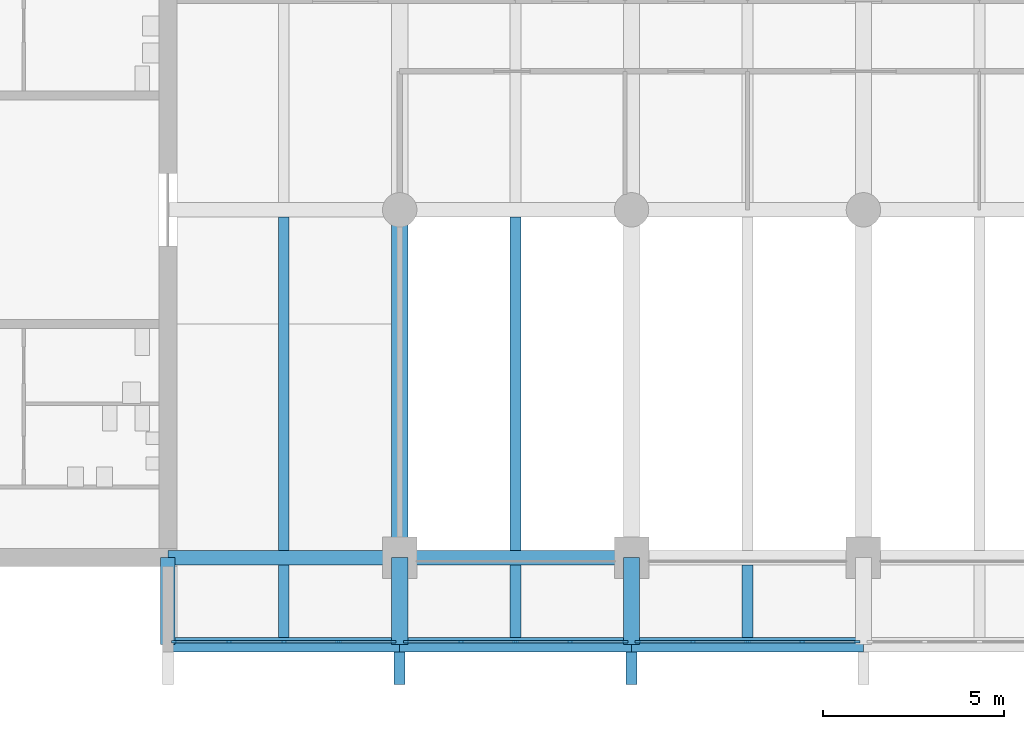
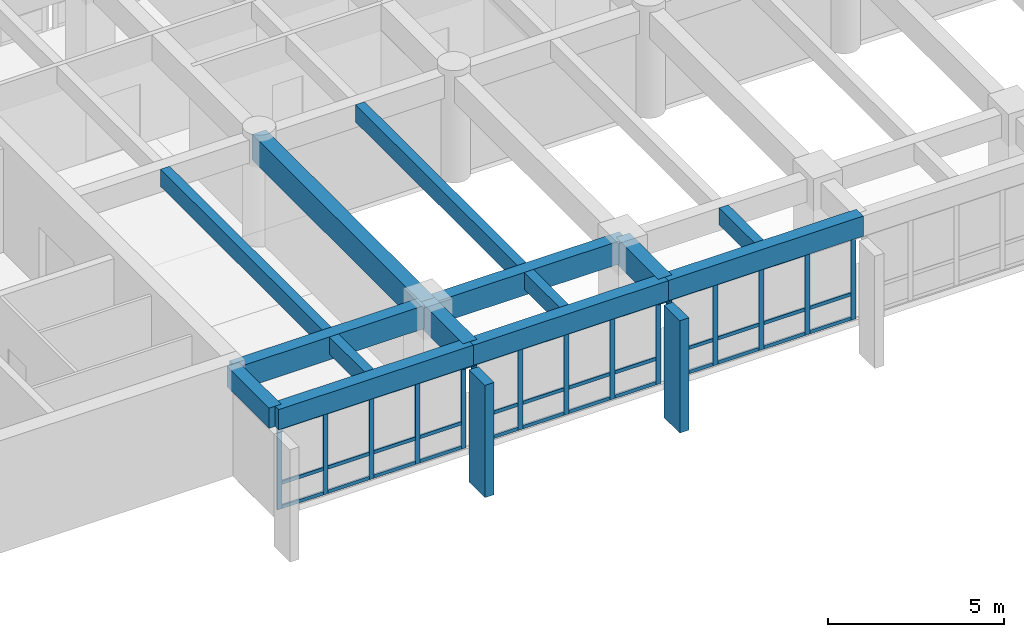
# One storey, part 2 of 15: 52 members, 14 beams, 3 elements without a shape of their own.
"""IFC4 building model written with IfcOpenShell, lengths in metres."""

from ifc_helpers import new_model, si_unit, direction, frame, origin, origin_2d, place, context, subcontext, project, spatial, rectangle, extrude, material, layer, layer_set, material_profile, profile_set, type_object, element, aggregate, save


model = new_model("IFC4")

# Units and contexts
model_context = context("Model", 3, precision=1e-05, world=origin(), true_north=direction((0.0, 1.0)))
body_context = subcontext(model_context, "Body", "Model", "MODEL_VIEW")
ifc_project = project(units=[si_unit("LENGTHUNIT", "METRE"), si_unit("AREAUNIT", "SQUARE_METRE"), si_unit("VOLUMEUNIT", "CUBIC_METRE"), si_unit("PLANEANGLEUNIT", "RADIAN"), si_unit("MASSUNIT", "GRAM", prefix="KILO")], contexts=[model_context])

# Site, building, storey
site_placement = place(None, origin())
site = spatial("IfcSite", under=ifc_project, at=site_placement, CompositionType="ELEMENT")
building_placement = place(site_placement, origin())
building = spatial("IfcBuilding", under=site, at=building_placement, Name="Fogon Plaza Fire Station and Headquarters Tower", CompositionType="ELEMENT")
storey_placement = place(building_placement, frame((0.0, 0.0, 36.60009765625)))
storey = spatial("IfcBuildingStorey", under=building, at=storey_placement, Name="L09", CompositionType="ELEMENT", Elevation=36.60009765625)

# Beams
ifc_material_1 = material(Name="Concrete C40", Category="concrete")
ifc_material_profile_1 = material_profile(ifc_material_1, rectangle(XDim=0.39990234375, YDim=0.699951171875, at=origin_2d()), Name="RC 400x700")
ifc_profile_set_1 = profile_set([ifc_material_profile_1], Name="Concrete C40")
beam_type_1 = type_object("IfcBeamType", Name="BEAM RC 400x700", PredefinedType="BEAM", material=ifc_profile_set_1)
for number, where, z_axis, x_axis, name in (
    (1, (25.60009765625, 31.199951171875, 3.329833984375), (1.0, 0.0, 0.0), (0.0, 1.0, 0.0), "beam-L09-039"),
    (2, (32.0, 31.199951171875, 3.329833984375), (1.0, 0.0, 0.0), (0.0, 1.0, 0.0), "beam-L09-040"),
):
    element("IfcBeam", number, at=place(storey_placement, frame(where, z_axis=z_axis, x_axis=x_axis)), inside=storey, type_object=beam_type_1, Name=name, PredefinedType="BEAM", context=body_context, shape_type="SweptSolid", body=[
        extrude(rectangle(XDim=0.39990234375, YDim=0.699951171875, at=origin_2d()), origin(), (0.0, 0.0, 1.0), 6.39990234375),
    ])
beam_1_placement = place(storey_placement, frame((38.39990234375, 31.199951171875, 3.329833984375), z_axis=(1.0, 0.0, 0.0), x_axis=(0.0, 1.0, 0.0)))
element("IfcBeam", 3, at=beam_1_placement, inside=storey, type_object=beam_type_1, Name="beam-L09-041", PredefinedType="BEAM", context=body_context, shape_type="SweptSolid", body=[
    extrude(rectangle(XDim=0.39990234375, YDim=0.699951171875, at=origin_2d()), origin(), (0.0, 0.0, 1.0), 6.400146484375),
])
ifc_material_2 = material(Name="Concrete C40", Category="concrete")
ifc_material_profile_2 = material_profile(ifc_material_2, rectangle(XDim=0.39990234375, YDim=0.699951171875, at=origin_2d()), Name="RC 400x700")
ifc_profile_set_2 = profile_set([ifc_material_profile_2], Name="Concrete C40")
beam_type_2 = type_object("IfcBeamType", Name="BEAM RC 400x700 SPAN 0.0 TO 3.0 M", PredefinedType="BEAM", material=ifc_profile_set_2)
beam_2_placement = place(storey_placement, frame((25.60009765625, 31.199951171875, 3.329833984375), z_axis=(0.0, 1.0, 0.0), x_axis=(-1.0, 0.0, 0.0)))
element("IfcBeam", 4, at=beam_2_placement, inside=storey, type_object=beam_type_2, Name="beam-L09-051", PredefinedType="BEAM", context=body_context, shape_type="SweptSolid", body=[
    extrude(rectangle(XDim=0.39990234375, YDim=0.699951171875, at=origin_2d()), origin(), (0.0, 0.0, 1.0), 2.400146484375),
])
ifc_material_3 = material(Name="Concrete C40", Category="concrete")
ifc_material_profile_3 = material_profile(ifc_material_3, rectangle(XDim=0.39990234375, YDim=0.800048828125, at=origin_2d()), Name="RC 400x800")
ifc_profile_set_3 = profile_set([ifc_material_profile_3], Name="Concrete C40")
beam_type_3 = type_object("IfcBeamType", Name="BEAM RC 400x800", PredefinedType="BEAM", material=ifc_profile_set_3)
for number, where, z_axis, x_axis, name in (
    (5, (25.60009765625, 33.60009765625, 3.27978515625), (1.0, 0.0, 0.0), (0.0, 1.0, 0.0), "beam-L09-021"),
    (6, (32.0, 33.60009765625, 3.27978515625), (1.0, 0.0, 0.0), (0.0, 1.0, 0.0), "beam-L09-022"),
):
    element("IfcBeam", number, at=place(storey_placement, frame(where, z_axis=z_axis, x_axis=x_axis)), inside=storey, type_object=beam_type_3, Name=name, PredefinedType="BEAM", context=body_context, shape_type="SweptSolid", body=[
        extrude(rectangle(XDim=0.39990234375, YDim=0.800048828125, at=origin_2d()), origin(), (0.0, 0.0, 1.0), 6.39990234375),
    ])
ifc_material_4 = material(Name="Concrete C40", Category="concrete")
ifc_material_profile_4 = material_profile(ifc_material_4, rectangle(XDim=0.449951171875, YDim=0.89990234375, at=origin_2d()), Name="RC 450x900")
ifc_profile_set_4 = profile_set([ifc_material_profile_4], Name="Concrete C40")
beam_type_4 = type_object("IfcBeamType", Name="BEAM RC 450x900", PredefinedType="BEAM", material=ifc_profile_set_4)
beam_3_placement = place(storey_placement, frame((32.0, 33.60009765625, 3.22998046875), z_axis=(0.0, 1.0, 0.0), x_axis=(-1.0, 0.0, 0.0)))
element("IfcBeam", 7, at=beam_3_placement, inside=storey, type_object=beam_type_4, Name="beam-L09-002", PredefinedType="BEAM", context=body_context, shape_type="SweptSolid", body=[
    extrude(rectangle(XDim=0.449951171875, YDim=0.89990234375, at=origin_2d()), origin(), (0.0, 0.0, 1.0), 9.599853515625),
])
ifc_material_5 = material(Name="Concrete C40", Category="concrete")
ifc_material_profile_5 = material_profile(ifc_material_5, rectangle(XDim=0.449951171875, YDim=0.89990234375, at=origin_2d()), Name="RC 450x900")
ifc_profile_set_5 = profile_set([ifc_material_profile_5], Name="Concrete C40")
beam_type_5 = type_object("IfcBeamType", Name="BEAM RC 450x900 SPAN 0.0 TO 3.0 M", PredefinedType="BEAM", material=ifc_profile_set_5)
for number, where, z_axis, x_axis, name in (
    (8, (32.0, 31.199951171875, 3.22998046875), (0.0, 1.0, 0.0), (-1.0, 0.0, 0.0), "beam-L09-001"),
    (9, (38.39990234375, 31.199951171875, 3.22998046875), (0.0, 1.0, 0.0), (-1.0, 0.0, 0.0), "beam-L09-005"),
):
    element("IfcBeam", number, at=place(storey_placement, frame(where, z_axis=z_axis, x_axis=x_axis)), inside=storey, type_object=beam_type_5, Name=name, PredefinedType="BEAM", context=body_context, shape_type="SweptSolid", body=[
        extrude(rectangle(XDim=0.449951171875, YDim=0.89990234375, at=origin_2d()), origin(), (0.0, 0.0, 1.0), 2.400146484375),
    ])

# Curtain wall, members
ifc_material_6 = material(Name="Aluminium and glass", Category="aluminium")
ifc_layer = layer(ifc_material_6, 0.14990234375)
ifc_layer_set = layer_set([ifc_layer], Name="Aluminium and glass")
curtain_wall_type = type_object("IfcCurtainWallType", Name="Unitised Curtain Wall Run 6100x2880", PredefinedType="NOTDEFINED", material=ifc_layer_set)
curtain_wall_1_placement = place(storey_placement, origin())
curtain_wall_1 = element("IfcCurtainWall", 10, at=curtain_wall_1_placement, inside=storey, type_object=curtain_wall_type, Name="CW-6100x2880 S1 L09", PredefinedType="NOTDEFINED")
ifc_material_7 = material(Name="Aluminium", Category="aluminium")
ifc_material_profile_6 = material_profile(ifc_material_7, rectangle(XDim=0.06005859375, YDim=0.159912109375, at=origin_2d()), Name="Curtain Wall Mullion 60x160")
ifc_profile_set_6 = profile_set([ifc_material_profile_6], Name="Aluminium")
member_type_1 = type_object("IfcMemberType", Name="Curtain Wall Mullion 60x160", PredefinedType="MULLION", material=ifc_profile_set_6)
member_1_placement = place(storey_placement, frame((25.780029296875, 31.280029296875, 0.0), z_axis=(0.0, 0.0, 1.0), x_axis=(0.0, 1.0, 0.0)))
member_1 = element("IfcMember", 11, at=member_1_placement, type_object=member_type_1, Name="CW-6100x2880 mullion 1", PredefinedType="MULLION", context=body_context, shape_type="SweptSolid", body=[
    extrude(rectangle(XDim=0.06005859375, YDim=0.159912109375, at=origin_2d()), origin(), (0.0, 0.0, 1.0), 2.8798828125),
])
member_2_placement = place(storey_placement, frame((27.2900390625, 31.280029296875, 0.0), z_axis=(0.0, 0.0, 1.0), x_axis=(0.0, 1.0, 0.0)))
member_2 = element("IfcMember", 12, at=member_2_placement, type_object=member_type_1, Name="CW-6100x2880 mullion 2", PredefinedType="MULLION", context=body_context, shape_type="SweptSolid", body=[
    extrude(rectangle(XDim=0.06005859375, YDim=0.159912109375, at=origin_2d()), origin(), (0.0, 0.0, 1.0), 2.8798828125),
])
member_3_placement = place(storey_placement, frame((28.800048828125, 31.280029296875, 0.0), z_axis=(0.0, 0.0, 1.0), x_axis=(0.0, 1.0, 0.0)))
member_3 = element("IfcMember", 13, at=member_3_placement, type_object=member_type_1, Name="CW-6100x2880 mullion 3", PredefinedType="MULLION", context=body_context, shape_type="SweptSolid", body=[
    extrude(rectangle(XDim=0.06005859375, YDim=0.159912109375, at=origin_2d()), origin(), (0.0, 0.0, 1.0), 2.8798828125),
])
member_4_placement = place(storey_placement, frame((30.31005859375, 31.280029296875, 0.0), z_axis=(0.0, 0.0, 1.0), x_axis=(0.0, 1.0, 0.0)))
member_4 = element("IfcMember", 14, at=member_4_placement, type_object=member_type_1, Name="CW-6100x2880 mullion 4", PredefinedType="MULLION", context=body_context, shape_type="SweptSolid", body=[
    extrude(rectangle(XDim=0.06005859375, YDim=0.159912109375, at=origin_2d()), origin(), (0.0, 0.0, 1.0), 2.8798828125),
])
member_5_placement = place(storey_placement, frame((31.820068359375, 31.280029296875, 0.0), z_axis=(0.0, 0.0, 1.0), x_axis=(0.0, 1.0, 0.0)))
member_5 = element("IfcMember", 15, at=member_5_placement, type_object=member_type_1, Name="CW-6100x2880 mullion 5", PredefinedType="MULLION", context=body_context, shape_type="SweptSolid", body=[
    extrude(rectangle(XDim=0.06005859375, YDim=0.159912109375, at=origin_2d()), origin(), (0.0, 0.0, 1.0), 2.8798828125),
])

curtain_wall_2_placement = place(storey_placement, origin())
curtain_wall_2 = element("IfcCurtainWall", 16, at=curtain_wall_2_placement, inside=storey, type_object=curtain_wall_type, Name="CW-6100x2880 S2 L09", PredefinedType="NOTDEFINED")
member_6_placement = place(storey_placement, frame((32.179931640625, 31.280029296875, 0.0), z_axis=(0.0, 0.0, 1.0), x_axis=(0.0, 1.0, 0.0)))
member_6 = element("IfcMember", 17, at=member_6_placement, type_object=member_type_1, Name="CW-6100x2880 mullion 1", PredefinedType="MULLION", context=body_context, shape_type="SweptSolid", body=[
    extrude(rectangle(XDim=0.06005859375, YDim=0.159912109375, at=origin_2d()), origin(), (0.0, 0.0, 1.0), 2.8798828125),
])
member_7_placement = place(storey_placement, frame((33.68994140625, 31.280029296875, 0.0), z_axis=(0.0, 0.0, 1.0), x_axis=(0.0, 1.0, 0.0)))
member_7 = element("IfcMember", 18, at=member_7_placement, type_object=member_type_1, Name="CW-6100x2880 mullion 2", PredefinedType="MULLION", context=body_context, shape_type="SweptSolid", body=[
    extrude(rectangle(XDim=0.06005859375, YDim=0.159912109375, at=origin_2d()), origin(), (0.0, 0.0, 1.0), 2.8798828125),
])
member_8_placement = place(storey_placement, frame((35.199951171875, 31.280029296875, 0.0), z_axis=(0.0, 0.0, 1.0), x_axis=(0.0, 1.0, 0.0)))
member_8 = element("IfcMember", 19, at=member_8_placement, type_object=member_type_1, Name="CW-6100x2880 mullion 3", PredefinedType="MULLION", context=body_context, shape_type="SweptSolid", body=[
    extrude(rectangle(XDim=0.06005859375, YDim=0.159912109375, at=origin_2d()), origin(), (0.0, 0.0, 1.0), 2.8798828125),
])
member_9_placement = place(storey_placement, frame((36.7099609375, 31.280029296875, 0.0), z_axis=(0.0, 0.0, 1.0), x_axis=(0.0, 1.0, 0.0)))
member_9 = element("IfcMember", 20, at=member_9_placement, type_object=member_type_1, Name="CW-6100x2880 mullion 4", PredefinedType="MULLION", context=body_context, shape_type="SweptSolid", body=[
    extrude(rectangle(XDim=0.06005859375, YDim=0.159912109375, at=origin_2d()), origin(), (0.0, 0.0, 1.0), 2.8798828125),
])
member_10_placement = place(storey_placement, frame((38.219970703125, 31.280029296875, 0.0), z_axis=(0.0, 0.0, 1.0), x_axis=(0.0, 1.0, 0.0)))
member_10 = element("IfcMember", 21, at=member_10_placement, type_object=member_type_1, Name="CW-6100x2880 mullion 5", PredefinedType="MULLION", context=body_context, shape_type="SweptSolid", body=[
    extrude(rectangle(XDim=0.06005859375, YDim=0.159912109375, at=origin_2d()), origin(), (0.0, 0.0, 1.0), 2.8798828125),
])

curtain_wall_3_placement = place(storey_placement, origin())
curtain_wall_3 = element("IfcCurtainWall", 22, at=curtain_wall_3_placement, inside=storey, type_object=curtain_wall_type, Name="CW-6100x2880 S3 L09", PredefinedType="NOTDEFINED")
member_11_placement = place(storey_placement, frame((38.580078125, 31.280029296875, 0.0), z_axis=(0.0, 0.0, 1.0), x_axis=(0.0, 1.0, 0.0)))
member_11 = element("IfcMember", 23, at=member_11_placement, type_object=member_type_1, Name="CW-6100x2880 mullion 1", PredefinedType="MULLION", context=body_context, shape_type="SweptSolid", body=[
    extrude(rectangle(XDim=0.06005859375, YDim=0.159912109375, at=origin_2d()), origin(), (0.0, 0.0, 1.0), 2.8798828125),
])
member_12_placement = place(storey_placement, frame((40.090087890625, 31.280029296875, 0.0), z_axis=(0.0, 0.0, 1.0), x_axis=(0.0, 1.0, 0.0)))
member_12 = element("IfcMember", 24, at=member_12_placement, type_object=member_type_1, Name="CW-6100x2880 mullion 2", PredefinedType="MULLION", context=body_context, shape_type="SweptSolid", body=[
    extrude(rectangle(XDim=0.06005859375, YDim=0.159912109375, at=origin_2d()), origin(), (0.0, 0.0, 1.0), 2.8798828125),
])
member_13_placement = place(storey_placement, frame((41.60009765625, 31.280029296875, 0.0), z_axis=(0.0, 0.0, 1.0), x_axis=(0.0, 1.0, 0.0)))
member_13 = element("IfcMember", 25, at=member_13_placement, type_object=member_type_1, Name="CW-6100x2880 mullion 3", PredefinedType="MULLION", context=body_context, shape_type="SweptSolid", body=[
    extrude(rectangle(XDim=0.06005859375, YDim=0.159912109375, at=origin_2d()), origin(), (0.0, 0.0, 1.0), 2.8798828125),
])
member_14_placement = place(storey_placement, frame((43.110107421875, 31.280029296875, 0.0), z_axis=(0.0, 0.0, 1.0), x_axis=(0.0, 1.0, 0.0)))
member_14 = element("IfcMember", 26, at=member_14_placement, type_object=member_type_1, Name="CW-6100x2880 mullion 4", PredefinedType="MULLION", context=body_context, shape_type="SweptSolid", body=[
    extrude(rectangle(XDim=0.06005859375, YDim=0.159912109375, at=origin_2d()), origin(), (0.0, 0.0, 1.0), 2.8798828125),
])
member_15_placement = place(storey_placement, frame((44.6201171875, 31.280029296875, 0.0), z_axis=(0.0, 0.0, 1.0), x_axis=(0.0, 1.0, 0.0)))
member_15 = element("IfcMember", 27, at=member_15_placement, type_object=member_type_1, Name="CW-6100x2880 mullion 5", PredefinedType="MULLION", context=body_context, shape_type="SweptSolid", body=[
    extrude(rectangle(XDim=0.06005859375, YDim=0.159912109375, at=origin_2d()), origin(), (0.0, 0.0, 1.0), 2.8798828125),
])

# Member
ifc_material_8 = material(Name="Aluminium", Category="aluminium")
ifc_material_profile_7 = material_profile(ifc_material_8, rectangle(XDim=0.06005859375, YDim=0.1201171875, at=origin_2d()), Name="Curtain Wall Transom 60x120")
ifc_profile_set_7 = profile_set([ifc_material_profile_7], Name="Aluminium")
member_type_2 = type_object("IfcMemberType", Name="Curtain Wall Transom 60x120", PredefinedType="USERDEFINED", material=ifc_profile_set_7)
member_16_placement = place(storey_placement, frame((25.81005859375, 31.280029296875, 0.059814453125), z_axis=(1.0, 0.0, 0.0), x_axis=(0.0, 1.0, 0.0)))
member_16 = element("IfcMember", 28, at=member_16_placement, type_object=member_type_2, Name="CW-6100x2880 transom 1.1", ObjectType="TRANSOM", PredefinedType="USERDEFINED", context=body_context, shape_type="SweptSolid", body=[
    extrude(rectangle(XDim=0.06005859375, YDim=0.1201171875, at=origin_2d()), origin(), (0.0, 0.0, 1.0), 1.449951171875),
])

member_17_placement = place(storey_placement, frame((25.81005859375, 31.280029296875, 0.89990234375), z_axis=(1.0, 0.0, 0.0), x_axis=(0.0, 1.0, 0.0)))
member_17 = element("IfcMember", 29, at=member_17_placement, type_object=member_type_2, Name="CW-6100x2880 transom 1.2", ObjectType="TRANSOM", PredefinedType="USERDEFINED", context=body_context, shape_type="SweptSolid", body=[
    extrude(rectangle(XDim=0.06005859375, YDim=0.1201171875, at=origin_2d()), origin(), (0.0, 0.0, 1.0), 1.449951171875),
])

member_18_placement = place(storey_placement, frame((25.81005859375, 31.280029296875, 2.81982421875), z_axis=(1.0, 0.0, 0.0), x_axis=(0.0, 1.0, 0.0)))
member_18 = element("IfcMember", 30, at=member_18_placement, type_object=member_type_2, Name="CW-6100x2880 transom 1.3", ObjectType="TRANSOM", PredefinedType="USERDEFINED", context=body_context, shape_type="SweptSolid", body=[
    extrude(rectangle(XDim=0.06005859375, YDim=0.1201171875, at=origin_2d()), origin(), (0.0, 0.0, 1.0), 1.449951171875),
])

member_19_placement = place(storey_placement, frame((27.320068359375, 31.280029296875, 0.059814453125), z_axis=(1.0, 0.0, 0.0), x_axis=(0.0, 1.0, 0.0)))
member_19 = element("IfcMember", 31, at=member_19_placement, type_object=member_type_2, Name="CW-6100x2880 transom 2.1", ObjectType="TRANSOM", PredefinedType="USERDEFINED", context=body_context, shape_type="SweptSolid", body=[
    extrude(rectangle(XDim=0.06005859375, YDim=0.1201171875, at=origin_2d()), origin(), (0.0, 0.0, 1.0), 1.449951171875),
])

member_20_placement = place(storey_placement, frame((27.320068359375, 31.280029296875, 0.89990234375), z_axis=(1.0, 0.0, 0.0), x_axis=(0.0, 1.0, 0.0)))
member_20 = element("IfcMember", 32, at=member_20_placement, type_object=member_type_2, Name="CW-6100x2880 transom 2.2", ObjectType="TRANSOM", PredefinedType="USERDEFINED", context=body_context, shape_type="SweptSolid", body=[
    extrude(rectangle(XDim=0.06005859375, YDim=0.1201171875, at=origin_2d()), origin(), (0.0, 0.0, 1.0), 1.449951171875),
])

member_21_placement = place(storey_placement, frame((27.320068359375, 31.280029296875, 2.81982421875), z_axis=(1.0, 0.0, 0.0), x_axis=(0.0, 1.0, 0.0)))
member_21 = element("IfcMember", 33, at=member_21_placement, type_object=member_type_2, Name="CW-6100x2880 transom 2.3", ObjectType="TRANSOM", PredefinedType="USERDEFINED", context=body_context, shape_type="SweptSolid", body=[
    extrude(rectangle(XDim=0.06005859375, YDim=0.1201171875, at=origin_2d()), origin(), (0.0, 0.0, 1.0), 1.449951171875),
])

member_22_placement = place(storey_placement, frame((28.830078125, 31.280029296875, 0.059814453125), z_axis=(1.0, 0.0, 0.0), x_axis=(0.0, 1.0, 0.0)))
member_22 = element("IfcMember", 34, at=member_22_placement, type_object=member_type_2, Name="CW-6100x2880 transom 3.1", ObjectType="TRANSOM", PredefinedType="USERDEFINED", context=body_context, shape_type="SweptSolid", body=[
    extrude(rectangle(XDim=0.06005859375, YDim=0.1201171875, at=origin_2d()), origin(), (0.0, 0.0, 1.0), 1.449951171875),
])

member_23_placement = place(storey_placement, frame((28.830078125, 31.280029296875, 0.89990234375), z_axis=(1.0, 0.0, 0.0), x_axis=(0.0, 1.0, 0.0)))
member_23 = element("IfcMember", 35, at=member_23_placement, type_object=member_type_2, Name="CW-6100x2880 transom 3.2", ObjectType="TRANSOM", PredefinedType="USERDEFINED", context=body_context, shape_type="SweptSolid", body=[
    extrude(rectangle(XDim=0.06005859375, YDim=0.1201171875, at=origin_2d()), origin(), (0.0, 0.0, 1.0), 1.449951171875),
])

member_24_placement = place(storey_placement, frame((28.830078125, 31.280029296875, 2.81982421875), z_axis=(1.0, 0.0, 0.0), x_axis=(0.0, 1.0, 0.0)))
member_24 = element("IfcMember", 36, at=member_24_placement, type_object=member_type_2, Name="CW-6100x2880 transom 3.3", ObjectType="TRANSOM", PredefinedType="USERDEFINED", context=body_context, shape_type="SweptSolid", body=[
    extrude(rectangle(XDim=0.06005859375, YDim=0.1201171875, at=origin_2d()), origin(), (0.0, 0.0, 1.0), 1.449951171875),
])

member_25_placement = place(storey_placement, frame((30.340087890625, 31.280029296875, 0.059814453125), z_axis=(1.0, 0.0, 0.0), x_axis=(0.0, 1.0, 0.0)))
member_25 = element("IfcMember", 37, at=member_25_placement, type_object=member_type_2, Name="CW-6100x2880 transom 4.1", ObjectType="TRANSOM", PredefinedType="USERDEFINED", context=body_context, shape_type="SweptSolid", body=[
    extrude(rectangle(XDim=0.06005859375, YDim=0.1201171875, at=origin_2d()), origin(), (0.0, 0.0, 1.0), 1.449951171875),
])

member_26_placement = place(storey_placement, frame((30.340087890625, 31.280029296875, 0.89990234375), z_axis=(1.0, 0.0, 0.0), x_axis=(0.0, 1.0, 0.0)))
member_26 = element("IfcMember", 38, at=member_26_placement, type_object=member_type_2, Name="CW-6100x2880 transom 4.2", ObjectType="TRANSOM", PredefinedType="USERDEFINED", context=body_context, shape_type="SweptSolid", body=[
    extrude(rectangle(XDim=0.06005859375, YDim=0.1201171875, at=origin_2d()), origin(), (0.0, 0.0, 1.0), 1.449951171875),
])

member_27_placement = place(storey_placement, frame((30.340087890625, 31.280029296875, 2.81982421875), z_axis=(1.0, 0.0, 0.0), x_axis=(0.0, 1.0, 0.0)))
member_27 = element("IfcMember", 39, at=member_27_placement, type_object=member_type_2, Name="CW-6100x2880 transom 4.3", ObjectType="TRANSOM", PredefinedType="USERDEFINED", context=body_context, shape_type="SweptSolid", body=[
    extrude(rectangle(XDim=0.06005859375, YDim=0.1201171875, at=origin_2d()), origin(), (0.0, 0.0, 1.0), 1.449951171875),
])

aggregate(curtain_wall_1, [member_1, member_2, member_3, member_4, member_5, member_16, member_17, member_18, member_19, member_20, member_21, member_22, member_23, member_24, member_25, member_26, member_27])

member_28_placement = place(storey_placement, frame((32.2099609375, 31.280029296875, 0.059814453125), z_axis=(1.0, 0.0, 0.0), x_axis=(0.0, 1.0, 0.0)))
member_28 = element("IfcMember", 40, at=member_28_placement, type_object=member_type_2, Name="CW-6100x2880 transom 1.1", ObjectType="TRANSOM", PredefinedType="USERDEFINED", context=body_context, shape_type="SweptSolid", body=[
    extrude(rectangle(XDim=0.06005859375, YDim=0.1201171875, at=origin_2d()), origin(), (0.0, 0.0, 1.0), 1.449951171875),
])

member_29_placement = place(storey_placement, frame((32.2099609375, 31.280029296875, 0.89990234375), z_axis=(1.0, 0.0, 0.0), x_axis=(0.0, 1.0, 0.0)))
member_29 = element("IfcMember", 41, at=member_29_placement, type_object=member_type_2, Name="CW-6100x2880 transom 1.2", ObjectType="TRANSOM", PredefinedType="USERDEFINED", context=body_context, shape_type="SweptSolid", body=[
    extrude(rectangle(XDim=0.06005859375, YDim=0.1201171875, at=origin_2d()), origin(), (0.0, 0.0, 1.0), 1.449951171875),
])

member_30_placement = place(storey_placement, frame((32.2099609375, 31.280029296875, 2.81982421875), z_axis=(1.0, 0.0, 0.0), x_axis=(0.0, 1.0, 0.0)))
member_30 = element("IfcMember", 42, at=member_30_placement, type_object=member_type_2, Name="CW-6100x2880 transom 1.3", ObjectType="TRANSOM", PredefinedType="USERDEFINED", context=body_context, shape_type="SweptSolid", body=[
    extrude(rectangle(XDim=0.06005859375, YDim=0.1201171875, at=origin_2d()), origin(), (0.0, 0.0, 1.0), 1.449951171875),
])

member_31_placement = place(storey_placement, frame((33.719970703125, 31.280029296875, 0.059814453125), z_axis=(1.0, 0.0, 0.0), x_axis=(0.0, 1.0, 0.0)))
member_31 = element("IfcMember", 43, at=member_31_placement, type_object=member_type_2, Name="CW-6100x2880 transom 2.1", ObjectType="TRANSOM", PredefinedType="USERDEFINED", context=body_context, shape_type="SweptSolid", body=[
    extrude(rectangle(XDim=0.06005859375, YDim=0.1201171875, at=origin_2d()), origin(), (0.0, 0.0, 1.0), 1.449951171875),
])

member_32_placement = place(storey_placement, frame((33.719970703125, 31.280029296875, 0.89990234375), z_axis=(1.0, 0.0, 0.0), x_axis=(0.0, 1.0, 0.0)))
member_32 = element("IfcMember", 44, at=member_32_placement, type_object=member_type_2, Name="CW-6100x2880 transom 2.2", ObjectType="TRANSOM", PredefinedType="USERDEFINED", context=body_context, shape_type="SweptSolid", body=[
    extrude(rectangle(XDim=0.06005859375, YDim=0.1201171875, at=origin_2d()), origin(), (0.0, 0.0, 1.0), 1.449951171875),
])

member_33_placement = place(storey_placement, frame((33.719970703125, 31.280029296875, 2.81982421875), z_axis=(1.0, 0.0, 0.0), x_axis=(0.0, 1.0, 0.0)))
member_33 = element("IfcMember", 45, at=member_33_placement, type_object=member_type_2, Name="CW-6100x2880 transom 2.3", ObjectType="TRANSOM", PredefinedType="USERDEFINED", context=body_context, shape_type="SweptSolid", body=[
    extrude(rectangle(XDim=0.06005859375, YDim=0.1201171875, at=origin_2d()), origin(), (0.0, 0.0, 1.0), 1.449951171875),
])

member_34_placement = place(storey_placement, frame((35.22998046875, 31.280029296875, 0.059814453125), z_axis=(1.0, 0.0, 0.0), x_axis=(0.0, 1.0, 0.0)))
member_34 = element("IfcMember", 46, at=member_34_placement, type_object=member_type_2, Name="CW-6100x2880 transom 3.1", ObjectType="TRANSOM", PredefinedType="USERDEFINED", context=body_context, shape_type="SweptSolid", body=[
    extrude(rectangle(XDim=0.06005859375, YDim=0.1201171875, at=origin_2d()), origin(), (0.0, 0.0, 1.0), 1.449951171875),
])

member_35_placement = place(storey_placement, frame((35.22998046875, 31.280029296875, 0.89990234375), z_axis=(1.0, 0.0, 0.0), x_axis=(0.0, 1.0, 0.0)))
member_35 = element("IfcMember", 47, at=member_35_placement, type_object=member_type_2, Name="CW-6100x2880 transom 3.2", ObjectType="TRANSOM", PredefinedType="USERDEFINED", context=body_context, shape_type="SweptSolid", body=[
    extrude(rectangle(XDim=0.06005859375, YDim=0.1201171875, at=origin_2d()), origin(), (0.0, 0.0, 1.0), 1.449951171875),
])

member_36_placement = place(storey_placement, frame((35.22998046875, 31.280029296875, 2.81982421875), z_axis=(1.0, 0.0, 0.0), x_axis=(0.0, 1.0, 0.0)))
member_36 = element("IfcMember", 48, at=member_36_placement, type_object=member_type_2, Name="CW-6100x2880 transom 3.3", ObjectType="TRANSOM", PredefinedType="USERDEFINED", context=body_context, shape_type="SweptSolid", body=[
    extrude(rectangle(XDim=0.06005859375, YDim=0.1201171875, at=origin_2d()), origin(), (0.0, 0.0, 1.0), 1.449951171875),
])

member_37_placement = place(storey_placement, frame((36.739990234375, 31.280029296875, 0.059814453125), z_axis=(1.0, 0.0, 0.0), x_axis=(0.0, 1.0, 0.0)))
member_37 = element("IfcMember", 49, at=member_37_placement, type_object=member_type_2, Name="CW-6100x2880 transom 4.1", ObjectType="TRANSOM", PredefinedType="USERDEFINED", context=body_context, shape_type="SweptSolid", body=[
    extrude(rectangle(XDim=0.06005859375, YDim=0.1201171875, at=origin_2d()), origin(), (0.0, 0.0, 1.0), 1.449951171875),
])

member_38_placement = place(storey_placement, frame((36.739990234375, 31.280029296875, 0.89990234375), z_axis=(1.0, 0.0, 0.0), x_axis=(0.0, 1.0, 0.0)))
member_38 = element("IfcMember", 50, at=member_38_placement, type_object=member_type_2, Name="CW-6100x2880 transom 4.2", ObjectType="TRANSOM", PredefinedType="USERDEFINED", context=body_context, shape_type="SweptSolid", body=[
    extrude(rectangle(XDim=0.06005859375, YDim=0.1201171875, at=origin_2d()), origin(), (0.0, 0.0, 1.0), 1.449951171875),
])

member_39_placement = place(storey_placement, frame((36.739990234375, 31.280029296875, 2.81982421875), z_axis=(1.0, 0.0, 0.0), x_axis=(0.0, 1.0, 0.0)))
member_39 = element("IfcMember", 51, at=member_39_placement, type_object=member_type_2, Name="CW-6100x2880 transom 4.3", ObjectType="TRANSOM", PredefinedType="USERDEFINED", context=body_context, shape_type="SweptSolid", body=[
    extrude(rectangle(XDim=0.06005859375, YDim=0.1201171875, at=origin_2d()), origin(), (0.0, 0.0, 1.0), 1.449951171875),
])

aggregate(curtain_wall_2, [member_6, member_7, member_8, member_9, member_10, member_28, member_29, member_30, member_31, member_32, member_33, member_34, member_35, member_36, member_37, member_38, member_39])

member_40_placement = place(storey_placement, frame((38.610107421875, 31.280029296875, 0.059814453125), z_axis=(1.0, 0.0, 0.0), x_axis=(0.0, 1.0, 0.0)))
member_40 = element("IfcMember", 52, at=member_40_placement, type_object=member_type_2, Name="CW-6100x2880 transom 1.1", ObjectType="TRANSOM", PredefinedType="USERDEFINED", context=body_context, shape_type="SweptSolid", body=[
    extrude(rectangle(XDim=0.06005859375, YDim=0.1201171875, at=origin_2d()), origin(), (0.0, 0.0, 1.0), 1.449951171875),
])

member_41_placement = place(storey_placement, frame((38.610107421875, 31.280029296875, 0.89990234375), z_axis=(1.0, 0.0, 0.0), x_axis=(0.0, 1.0, 0.0)))
member_41 = element("IfcMember", 53, at=member_41_placement, type_object=member_type_2, Name="CW-6100x2880 transom 1.2", ObjectType="TRANSOM", PredefinedType="USERDEFINED", context=body_context, shape_type="SweptSolid", body=[
    extrude(rectangle(XDim=0.06005859375, YDim=0.1201171875, at=origin_2d()), origin(), (0.0, 0.0, 1.0), 1.449951171875),
])

member_42_placement = place(storey_placement, frame((38.610107421875, 31.280029296875, 2.81982421875), z_axis=(1.0, 0.0, 0.0), x_axis=(0.0, 1.0, 0.0)))
member_42 = element("IfcMember", 54, at=member_42_placement, type_object=member_type_2, Name="CW-6100x2880 transom 1.3", ObjectType="TRANSOM", PredefinedType="USERDEFINED", context=body_context, shape_type="SweptSolid", body=[
    extrude(rectangle(XDim=0.06005859375, YDim=0.1201171875, at=origin_2d()), origin(), (0.0, 0.0, 1.0), 1.449951171875),
])

member_43_placement = place(storey_placement, frame((40.1201171875, 31.280029296875, 0.059814453125), z_axis=(1.0, 0.0, 0.0), x_axis=(0.0, 1.0, 0.0)))
member_43 = element("IfcMember", 55, at=member_43_placement, type_object=member_type_2, Name="CW-6100x2880 transom 2.1", ObjectType="TRANSOM", PredefinedType="USERDEFINED", context=body_context, shape_type="SweptSolid", body=[
    extrude(rectangle(XDim=0.06005859375, YDim=0.1201171875, at=origin_2d()), origin(), (0.0, 0.0, 1.0), 1.449951171875),
])

member_44_placement = place(storey_placement, frame((40.1201171875, 31.280029296875, 0.89990234375), z_axis=(1.0, 0.0, 0.0), x_axis=(0.0, 1.0, 0.0)))
member_44 = element("IfcMember", 56, at=member_44_placement, type_object=member_type_2, Name="CW-6100x2880 transom 2.2", ObjectType="TRANSOM", PredefinedType="USERDEFINED", context=body_context, shape_type="SweptSolid", body=[
    extrude(rectangle(XDim=0.06005859375, YDim=0.1201171875, at=origin_2d()), origin(), (0.0, 0.0, 1.0), 1.449951171875),
])

member_45_placement = place(storey_placement, frame((40.1201171875, 31.280029296875, 2.81982421875), z_axis=(1.0, 0.0, 0.0), x_axis=(0.0, 1.0, 0.0)))
member_45 = element("IfcMember", 57, at=member_45_placement, type_object=member_type_2, Name="CW-6100x2880 transom 2.3", ObjectType="TRANSOM", PredefinedType="USERDEFINED", context=body_context, shape_type="SweptSolid", body=[
    extrude(rectangle(XDim=0.06005859375, YDim=0.1201171875, at=origin_2d()), origin(), (0.0, 0.0, 1.0), 1.449951171875),
])

member_46_placement = place(storey_placement, frame((41.6298828125, 31.280029296875, 0.059814453125), z_axis=(1.0, 0.0, 0.0), x_axis=(0.0, 1.0, 0.0)))
member_46 = element("IfcMember", 58, at=member_46_placement, type_object=member_type_2, Name="CW-6100x2880 transom 3.1", ObjectType="TRANSOM", PredefinedType="USERDEFINED", context=body_context, shape_type="SweptSolid", body=[
    extrude(rectangle(XDim=0.06005859375, YDim=0.1201171875, at=origin_2d()), origin(), (0.0, 0.0, 1.0), 1.4501953125),
])

member_47_placement = place(storey_placement, frame((41.6298828125, 31.280029296875, 0.89990234375), z_axis=(1.0, 0.0, 0.0), x_axis=(0.0, 1.0, 0.0)))
member_47 = element("IfcMember", 59, at=member_47_placement, type_object=member_type_2, Name="CW-6100x2880 transom 3.2", ObjectType="TRANSOM", PredefinedType="USERDEFINED", context=body_context, shape_type="SweptSolid", body=[
    extrude(rectangle(XDim=0.06005859375, YDim=0.1201171875, at=origin_2d()), origin(), (0.0, 0.0, 1.0), 1.4501953125),
])

member_48_placement = place(storey_placement, frame((41.6298828125, 31.280029296875, 2.81982421875), z_axis=(1.0, 0.0, 0.0), x_axis=(0.0, 1.0, 0.0)))
member_48 = element("IfcMember", 60, at=member_48_placement, type_object=member_type_2, Name="CW-6100x2880 transom 3.3", ObjectType="TRANSOM", PredefinedType="USERDEFINED", context=body_context, shape_type="SweptSolid", body=[
    extrude(rectangle(XDim=0.06005859375, YDim=0.1201171875, at=origin_2d()), origin(), (0.0, 0.0, 1.0), 1.4501953125),
])

member_49_placement = place(storey_placement, frame((43.139892578125, 31.280029296875, 0.059814453125), z_axis=(1.0, 0.0, 0.0), x_axis=(0.0, 1.0, 0.0)))
member_49 = element("IfcMember", 61, at=member_49_placement, type_object=member_type_2, Name="CW-6100x2880 transom 4.1", ObjectType="TRANSOM", PredefinedType="USERDEFINED", context=body_context, shape_type="SweptSolid", body=[
    extrude(rectangle(XDim=0.06005859375, YDim=0.1201171875, at=origin_2d()), origin(), (0.0, 0.0, 1.0), 1.4501953125),
])

member_50_placement = place(storey_placement, frame((43.139892578125, 31.280029296875, 0.89990234375), z_axis=(1.0, 0.0, 0.0), x_axis=(0.0, 1.0, 0.0)))
member_50 = element("IfcMember", 62, at=member_50_placement, type_object=member_type_2, Name="CW-6100x2880 transom 4.2", ObjectType="TRANSOM", PredefinedType="USERDEFINED", context=body_context, shape_type="SweptSolid", body=[
    extrude(rectangle(XDim=0.06005859375, YDim=0.1201171875, at=origin_2d()), origin(), (0.0, 0.0, 1.0), 1.4501953125),
])

aggregate(curtain_wall_3, [member_11, member_12, member_13, member_14, member_15, member_40, member_41, member_42, member_43, member_44, member_45, member_46, member_47, member_48, member_49, member_50])

# Beams
ifc_material_9 = material(Name="Concrete C40", Category="concrete")
ifc_material_profile_8 = material_profile(ifc_material_9, rectangle(XDim=0.300048828125, YDim=0.60009765625, at=origin_2d()), Name="RC 300x600")
ifc_profile_set_8 = profile_set([ifc_material_profile_8], Name="Concrete C40")
beam_type_6 = type_object("IfcBeamType", Name="JOIST RC 300x600", PredefinedType="JOIST", material=ifc_profile_set_8)
for number, where, z_axis, x_axis, name in (
    (63, (28.800048828125, 33.800048828125, 3.3798828125), (0.0, 1.0, 0.0), (-1.0, 0.0, 0.0), "beam-L09-056"),
    (64, (35.199951171875, 33.800048828125, 3.3798828125), (0.0, 1.0, 0.0), (-1.0, 0.0, 0.0), "beam-L09-060"),
):
    element("IfcBeam", number, at=place(storey_placement, frame(where, z_axis=z_axis, x_axis=x_axis)), inside=storey, type_object=beam_type_6, Name=name, PredefinedType="JOIST", context=body_context, shape_type="SweptSolid", body=[
        extrude(rectangle(XDim=0.300048828125, YDim=0.60009765625, at=origin_2d()), origin(), (0.0, 0.0, 1.0), 9.199951171875),
    ])
ifc_material_10 = material(Name="Concrete C40", Category="concrete")
ifc_material_profile_9 = material_profile(ifc_material_10, rectangle(XDim=0.300048828125, YDim=0.60009765625, at=origin_2d()), Name="RC 300x600")
ifc_profile_set_9 = profile_set([ifc_material_profile_9], Name="Concrete C40")
beam_type_7 = type_object("IfcBeamType", Name="JOIST RC 300x600 SPAN 0.0 TO 3.0 M", PredefinedType="JOIST", material=ifc_profile_set_9)
for number, where, z_axis, x_axis, name in (
    (65, (28.800048828125, 31.39990234375, 3.3798828125), (0.0, 1.0, 0.0), (-1.0, 0.0, 0.0), "beam-L09-055"),
    (66, (35.199951171875, 31.39990234375, 3.3798828125), (0.0, 1.0, 0.0), (-1.0, 0.0, 0.0), "beam-L09-059"),
    (67, (41.60009765625, 31.39990234375, 3.3798828125), (0.0, 1.0, 0.0), (-1.0, 0.0, 0.0), "beam-L09-063"),
):
    element("IfcBeam", number, at=place(storey_placement, frame(where, z_axis=z_axis, x_axis=x_axis)), inside=storey, type_object=beam_type_7, Name=name, PredefinedType="JOIST", context=body_context, shape_type="SweptSolid", body=[
        extrude(rectangle(XDim=0.300048828125, YDim=0.60009765625, at=origin_2d()), origin(), (0.0, 0.0, 1.0), 2.0),
    ])

# Members
ifc_material_11 = material(Name="Concrete C40 precast", Category="concrete")
ifc_material_profile_10 = material_profile(ifc_material_11, rectangle(XDim=0.300048828125, YDim=0.89990234375, at=origin_2d()), Name="Precast Concrete Post 300x900")
ifc_profile_set_10 = profile_set([ifc_material_profile_10], Name="Concrete C40 precast")
member_type_3 = type_object("IfcMemberType", Name="Precast Concrete Post 300x900", PredefinedType="POST", material=ifc_profile_set_10)
for number, where, z_axis, x_axis, name in (
    (68, (32.0, 30.550048828125, -1.02001953125), (0.0, 0.0, 1.0), (1.0, 0.0, 0.0), "Precast Post S L09"),
    (69, (38.39990234375, 30.550048828125, -1.02001953125), (0.0, 0.0, 1.0), (1.0, 0.0, 0.0), "Precast Post S L09"),
):
    element("IfcMember", number, at=place(storey_placement, frame(where, z_axis=z_axis, x_axis=x_axis)), inside=storey, type_object=member_type_3, Name=name, PredefinedType="POST", context=body_context, shape_type="SweptSolid", body=[
        extrude(rectangle(XDim=0.300048828125, YDim=0.89990234375, at=origin_2d()), origin(), (0.0, 0.0, 1.0), 3.89990234375),
    ])

save(model, "model.ifc")
